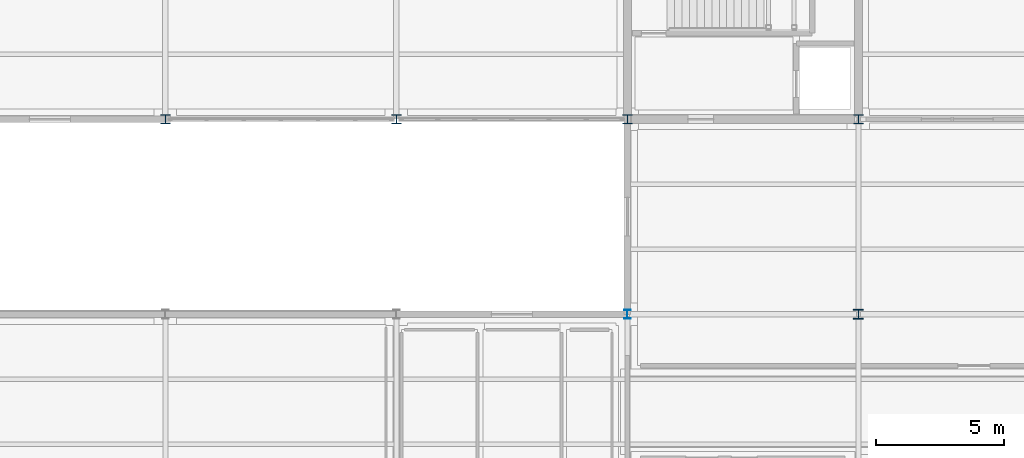
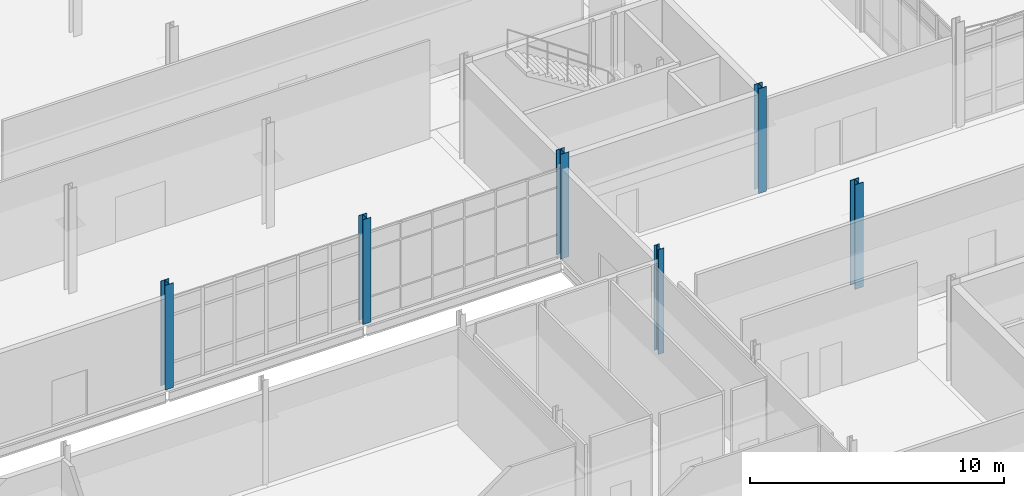
# One storey, part 5 of 161: 6 columns.
"""IFC4 building model written with IfcOpenShell, lengths in metres."""

from ifc_helpers import new_model, si_unit, direction, frame, origin, origin_2d, place, context, subcontext, project, spatial, i_section, extrude, material, material_profile, profile_set, type_object, element, save


model = new_model("IFC4")

# Units and contexts
model_context = context("Model", 3, precision=1e-05, world=origin(), true_north=direction((0.0, 1.0)))
body_context = subcontext(model_context, "Body", "Model", "MODEL_VIEW")
ifc_project = project(units=[si_unit("LENGTHUNIT", "METRE"), si_unit("AREAUNIT", "SQUARE_METRE"), si_unit("VOLUMEUNIT", "CUBIC_METRE"), si_unit("PLANEANGLEUNIT", "RADIAN"), si_unit("MASSUNIT", "GRAM", prefix="KILO")], contexts=[model_context])

# Site, building, storey
site_placement = place(None, origin())
site = spatial("IfcSite", under=ifc_project, at=site_placement, CompositionType="ELEMENT")
building_placement = place(site_placement, origin())
building = spatial("IfcBuilding", under=site, at=building_placement, Name="Caisbarro Railhouse Central Library", CompositionType="ELEMENT")
storey_placement = place(building_placement, origin())
storey = spatial("IfcBuildingStorey", under=building, at=storey_placement, Name="L00", CompositionType="ELEMENT", Elevation=0.0)

# Columns
ifc_material = material(Name="Steel ASTM A572 Grade 50", Category="steel")
ifc_material_profile_1 = material_profile(ifc_material, i_section(OverallWidth=0.39404296875, OverallDepth=0.375, WebThickness=0.017333984375, FlangeThickness=0.027587890625, FilletRadius=0.01806640625, at=origin_2d()), Name="W360X216.0")
ifc_profile_set_1 = profile_set([ifc_material_profile_1], Name="Steel ASTM A572 Grade 50")
column_type_1 = type_object("IfcColumnType", Name="COL-C01", PredefinedType="COLUMN", material=ifc_profile_set_1)
column_1_placement = place(storey_placement, frame((63.0, 22.800048828125, 0.0), z_axis=(0.0, 0.0, 1.0), x_axis=(1.0, 0.0, 0.0)))
element("IfcColumn", 1, at=column_1_placement, inside=storey, type_object=column_type_1, Name="C01 column L00 (63.0,22.8)", PredefinedType="COLUMN", context=body_context, shape_type="SweptSolid", body=[
    extrude(i_section(OverallWidth=0.39404296875, OverallDepth=0.375, WebThickness=0.017333984375, FlangeThickness=0.027587890625, FilletRadius=0.01806640625, at=origin_2d()), origin(), (0.0, 0.0, 1.0), 5.0400390625),
])
ifc_material_profile_2 = material_profile(ifc_material, i_section(OverallWidth=0.37109375, OverallDepth=0.364013671875, WebThickness=0.01318359375, FlangeThickness=0.021728515625, FilletRadius=0.01806640625, at=origin_2d()), Name="W360X162.0")
ifc_profile_set_2 = profile_set([ifc_material_profile_2], Name="Steel ASTM A572 Grade 50")
column_type_2 = type_object("IfcColumnType", Name="COL-C02", PredefinedType="COLUMN", material=ifc_profile_set_2)
for number, where, z_axis, x_axis, name in (
    (2, (36.0, 30.39990234375, 0.0), (0.0, 0.0, 1.0), (1.0, 0.0, 0.0), "C02 column L00 (36.0,30.4)"),
    (3, (45.0, 30.39990234375, 0.0), (0.0, 0.0, 1.0), (1.0, 0.0, 0.0), "C02 column L00 (45.0,30.4)"),
    (4, (54.0, 30.39990234375, 0.0), (0.0, 0.0, 1.0), (1.0, 0.0, 0.0), "C02 column L00 (54.0,30.4)"),
    (5, (63.0, 30.39990234375, 0.0), (0.0, 0.0, 1.0), (1.0, 0.0, 0.0), "C02 column L00 (63.0,30.4)"),
):
    element("IfcColumn", number, at=place(storey_placement, frame(where, z_axis=z_axis, x_axis=x_axis)), inside=storey, type_object=column_type_2, Name=name, PredefinedType="COLUMN", context=body_context, shape_type="SweptSolid", body=[
        extrude(i_section(OverallWidth=0.37109375, OverallDepth=0.364013671875, WebThickness=0.01318359375, FlangeThickness=0.021728515625, FilletRadius=0.01806640625, at=origin_2d()), origin(), (0.0, 0.0, 1.0), 5.0400390625),
    ])
ifc_material_profile_3 = material_profile(ifc_material, i_section(OverallWidth=0.25390625, OverallDepth=0.35302734375, WebThickness=0.009521484375, FlangeThickness=0.016357421875, FilletRadius=0.014892578125, at=origin_2d()), Name="W360X91.0")
ifc_profile_set_3 = profile_set([ifc_material_profile_3], Name="Steel ASTM A572 Grade 50")
column_type_3 = type_object("IfcColumnType", Name="COL-C05", PredefinedType="COLUMN", material=ifc_profile_set_3)
column_2_placement = place(storey_placement, frame((54.0, 22.800048828125, 0.0), z_axis=(0.0, 0.0, 1.0), x_axis=(1.0, 0.0, 0.0)))
element("IfcColumn", 6, at=column_2_placement, inside=storey, type_object=column_type_3, Name="C05 column L00 (54.0,22.8)", PredefinedType="COLUMN", context=body_context, shape_type="SweptSolid", body=[
    extrude(i_section(OverallWidth=0.25390625, OverallDepth=0.35302734375, WebThickness=0.009521484375, FlangeThickness=0.016357421875, FilletRadius=0.014892578125, at=origin_2d()), origin(), (0.0, 0.0, 1.0), 5.0400390625),
])

save(model, "model.ifc")
